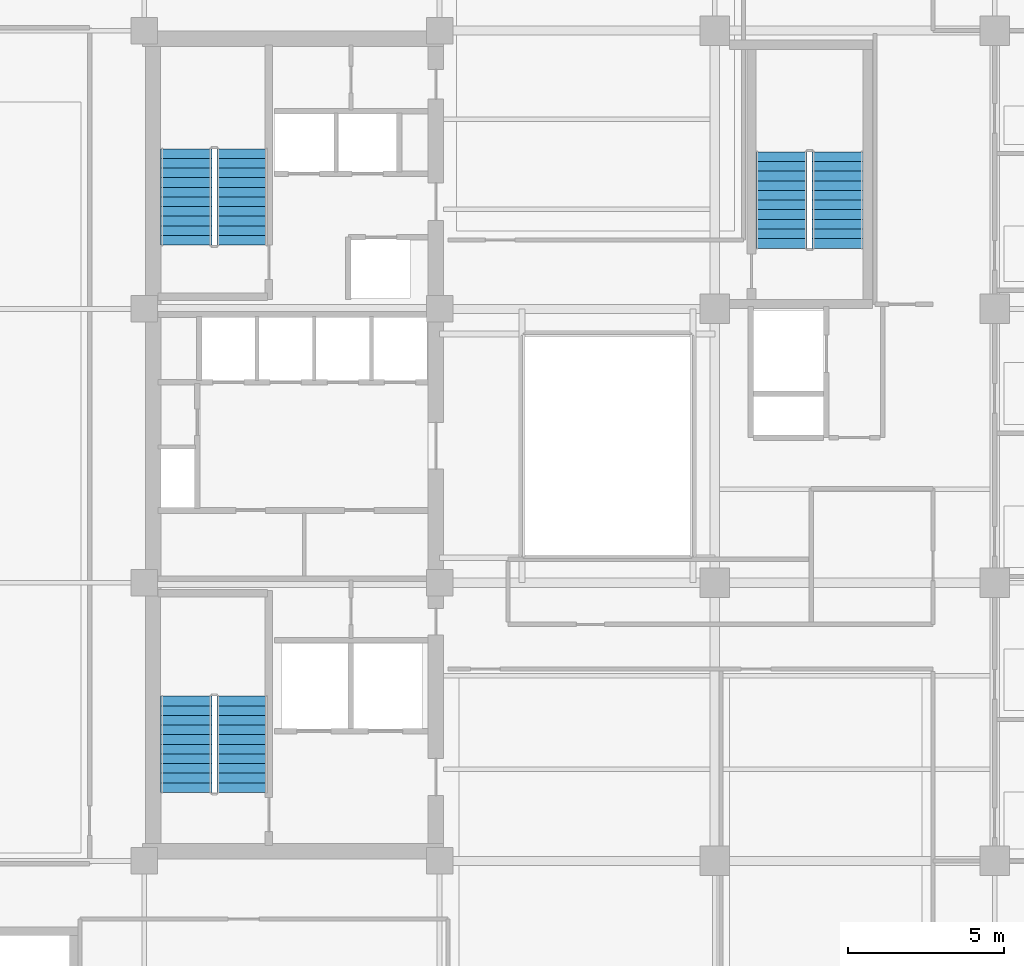
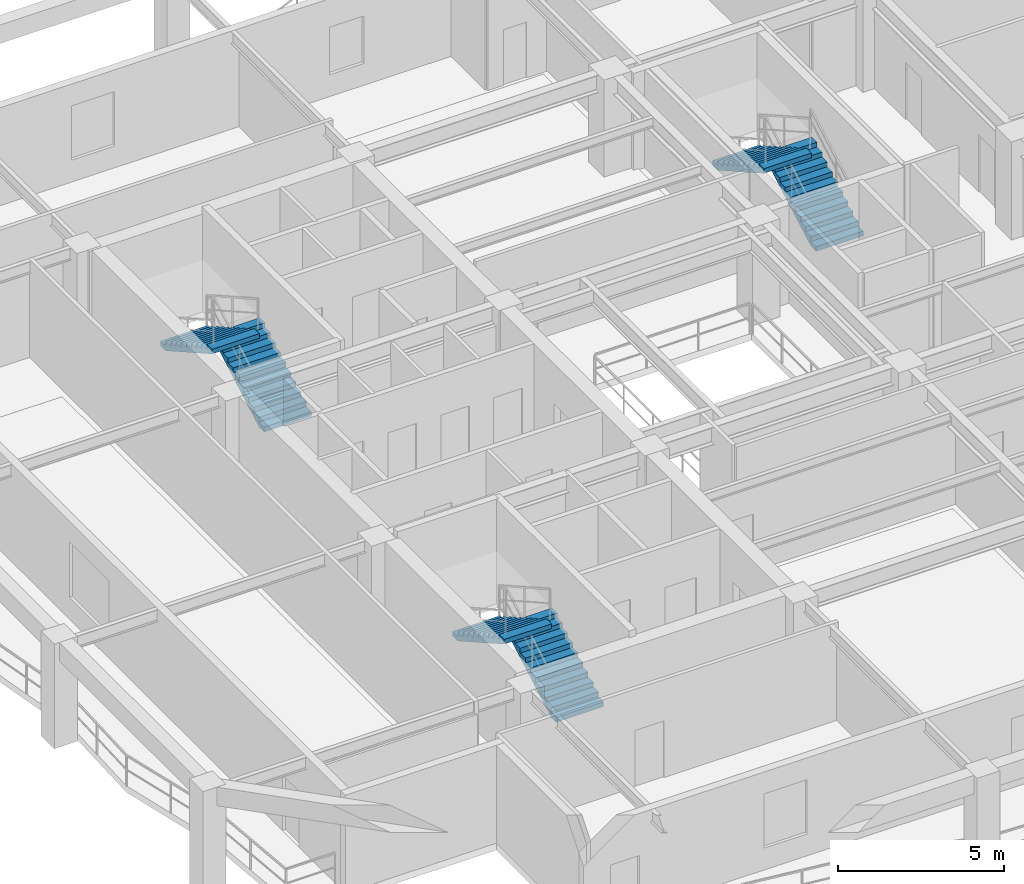
# One storey, part 7 of 13: 6 stair flights, 3 elements without a shape of their own.
"""IFC4 building model written with IfcOpenShell, lengths in metres."""

from ifc_helpers import new_model, si_unit, direction, frame, origin, place, context, subcontext, project, spatial, polyline, outline, extrude, material, type_object, element, aggregate, save


model = new_model("IFC4")

# Units and contexts
model_context = context("Model", 3, precision=1e-05, world=origin(), true_north=direction((0.0, 1.0)))
body_context = subcontext(model_context, "Body", "Model", "MODEL_VIEW")
ifc_project = project(units=[si_unit("LENGTHUNIT", "METRE"), si_unit("AREAUNIT", "SQUARE_METRE"), si_unit("VOLUMEUNIT", "CUBIC_METRE"), si_unit("PLANEANGLEUNIT", "RADIAN"), si_unit("MASSUNIT", "GRAM", prefix="KILO")], contexts=[model_context])

# Site, building, storey
site_placement = place(None, origin())
site = spatial("IfcSite", under=ifc_project, at=site_placement, CompositionType="ELEMENT")
building_placement = place(site_placement, origin())
building = spatial("IfcBuilding", under=site, at=building_placement, Name="Kundavana Baori Tower", CompositionType="ELEMENT")
storey_placement = place(building_placement, frame((0.0, 0.0, 188.699951171875)))
storey = spatial("IfcBuildingStorey", under=building, at=storey_placement, Name="L46", CompositionType="ELEMENT", Elevation=188.699951171875)

# Stair, stair flights
ifc_material_1 = material(Name="Concrete C40/50", Category="concrete")
stair_type = type_object("IfcStairType", Name="STR-DOG-1650", PredefinedType="HALF_TURN_STAIR", material=ifc_material_1)
stair_1_placement = place(storey_placement, origin())
stair_1 = element("IfcStair", 1, at=stair_1_placement, inside=storey, type_object=stair_type, Name="L46 Protected Exit Stair ST1", PredefinedType="HALF_TURN_STAIR")
ifc_material_2 = material(Name="Concrete C40/50", Category="concrete")
stair_flight_type = type_object("IfcStairFlightType", Name="SFL-RC-1650", PredefinedType="STRAIGHT", material=ifc_material_2)
stair_flight_1_placement = place(storey_placement, frame((18.614990234375, 17.449951171875, 0.0), z_axis=(0.0, 0.0, 1.0), x_axis=(0.0, 1.0, 0.0)))
stair_flight_1 = element("IfcStairFlight", 2, at=stair_flight_1_placement, type_object=stair_flight_type, Name="ST1 flight 1", NumberOfRisers=11, NumberOfTreads=10, PredefinedType="STRAIGHT", RiserHeight=0.175, TreadLength=0.31, context=body_context, shape_type="SweptSolid", body=[
    extrude(outline(polyline([(0.0, 0.0), (0.0, 0.175048828125), (0.31005859375, 0.175048828125), (0.31005859375, 0.35009765625), (0.6201171875, 0.35009765625), (0.6201171875, 0.52490234375), (0.929931640625, 0.52490234375), (0.929931640625, 0.699951171875), (1.239990234375, 0.699951171875), (1.239990234375, 0.875), (1.550048828125, 0.875), (1.550048828125, 1.050048828125), (1.860107421875, 1.050048828125), (1.860107421875, 1.22509765625), (2.169921875, 1.22509765625), (2.169921875, 1.39990234375), (2.47998046875, 1.39990234375), (2.47998046875, 1.574951171875), (2.7900390625, 1.574951171875), (2.7900390625, 1.75), (3.10009765625, 1.75), (3.10009765625, 1.925048828125), (3.10009765625, 1.577880859375), (0.304931640625, 0.0), (0.0, 0.0)])), frame((0.0, 0.824951171875, 0.0), z_axis=(0.0, -1.0, 0.0), x_axis=(1.0, 0.0, 0.0)), (0.0, 0.0, 1.0), 1.64990234375),
])
stair_flight_2_placement = place(storey_placement, frame((16.804931640625, 20.550048828125, 1.925048828125), z_axis=(0.0, 0.0, 1.0), x_axis=(0.0, -1.0, 0.0)))
stair_flight_2 = element("IfcStairFlight", 3, at=stair_flight_2_placement, type_object=stair_flight_type, Name="ST1 flight 2", NumberOfRisers=11, NumberOfTreads=10, PredefinedType="STRAIGHT", RiserHeight=0.175, TreadLength=0.31, context=body_context, shape_type="SweptSolid", body=[
    extrude(outline(polyline([(0.0, 0.0), (0.0, 0.175048828125), (0.31005859375, 0.175048828125), (0.31005859375, 0.35009765625), (0.6201171875, 0.35009765625), (0.6201171875, 0.52490234375), (0.929931640625, 0.52490234375), (0.929931640625, 0.699951171875), (1.239990234375, 0.699951171875), (1.239990234375, 0.875), (1.550048828125, 0.875), (1.550048828125, 1.050048828125), (1.860107421875, 1.050048828125), (1.860107421875, 1.22509765625), (2.169921875, 1.22509765625), (2.169921875, 1.39990234375), (2.47998046875, 1.39990234375), (2.47998046875, 1.574951171875), (2.7900390625, 1.574951171875), (2.7900390625, 1.75), (3.10009765625, 1.75), (3.10009765625, 1.925048828125), (3.10009765625, 1.577880859375), (0.304931640625, 0.0), (0.0, 0.0)])), frame((0.0, 0.824951171875, 0.0), z_axis=(0.0, -1.0, 0.0), x_axis=(1.0, 0.0, 0.0)), (0.0, 0.0, 1.0), 1.64990234375),
])
aggregate(stair_1, [stair_flight_1, stair_flight_2])

stair_2_placement = place(storey_placement, origin())
stair_2 = element("IfcStair", 4, at=stair_2_placement, inside=storey, type_object=stair_type, Name="L46 Protected Exit Stair ST2", PredefinedType="HALF_TURN_STAIR")
stair_flight_3_placement = place(storey_placement, frame((18.614990234375, 35.050048828125, 0.0), z_axis=(0.0, 0.0, 1.0), x_axis=(0.0, 1.0, 0.0)))
stair_flight_3 = element("IfcStairFlight", 5, at=stair_flight_3_placement, type_object=stair_flight_type, Name="ST2 flight 1", NumberOfRisers=11, NumberOfTreads=10, PredefinedType="STRAIGHT", RiserHeight=0.175, TreadLength=0.31, context=body_context, shape_type="SweptSolid", body=[
    extrude(outline(polyline([(0.0, 0.0), (0.0, 0.175048828125), (0.31005859375, 0.175048828125), (0.31005859375, 0.35009765625), (0.6201171875, 0.35009765625), (0.6201171875, 0.52490234375), (0.929931640625, 0.52490234375), (0.929931640625, 0.699951171875), (1.239990234375, 0.699951171875), (1.239990234375, 0.875), (1.550048828125, 0.875), (1.550048828125, 1.050048828125), (1.860107421875, 1.050048828125), (1.860107421875, 1.22509765625), (2.169921875, 1.22509765625), (2.169921875, 1.39990234375), (2.47998046875, 1.39990234375), (2.47998046875, 1.574951171875), (2.7900390625, 1.574951171875), (2.7900390625, 1.75), (3.10009765625, 1.75), (3.10009765625, 1.925048828125), (3.10009765625, 1.577880859375), (0.304931640625, 0.0), (0.0, 0.0)])), frame((0.0, 0.824951171875, 0.0), z_axis=(0.0, -1.0, 0.0), x_axis=(1.0, 0.0, 0.0)), (0.0, 0.0, 1.0), 1.64990234375),
])
stair_flight_4_placement = place(storey_placement, frame((16.804931640625, 38.14990234375, 1.925048828125), z_axis=(0.0, 0.0, 1.0), x_axis=(0.0, -1.0, 0.0)))
stair_flight_4 = element("IfcStairFlight", 6, at=stair_flight_4_placement, type_object=stair_flight_type, Name="ST2 flight 2", NumberOfRisers=11, NumberOfTreads=10, PredefinedType="STRAIGHT", RiserHeight=0.175, TreadLength=0.31, context=body_context, shape_type="SweptSolid", body=[
    extrude(outline(polyline([(0.0, 0.0), (0.0, 0.175048828125), (0.31005859375, 0.175048828125), (0.31005859375, 0.35009765625), (0.6201171875, 0.35009765625), (0.6201171875, 0.52490234375), (0.929931640625, 0.52490234375), (0.929931640625, 0.699951171875), (1.239990234375, 0.699951171875), (1.239990234375, 0.875), (1.550048828125, 0.875), (1.550048828125, 1.050048828125), (1.860107421875, 1.050048828125), (1.860107421875, 1.22509765625), (2.169921875, 1.22509765625), (2.169921875, 1.39990234375), (2.47998046875, 1.39990234375), (2.47998046875, 1.574951171875), (2.7900390625, 1.574951171875), (2.7900390625, 1.75), (3.10009765625, 1.75), (3.10009765625, 1.925048828125), (3.10009765625, 1.577880859375), (0.304931640625, 0.0), (0.0, 0.0)])), frame((0.0, 0.824951171875, 0.0), z_axis=(0.0, -1.0, 0.0), x_axis=(1.0, 0.0, 0.0)), (0.0, 0.0, 1.0), 1.64990234375),
])
aggregate(stair_2, [stair_flight_3, stair_flight_4])

stair_3_placement = place(storey_placement, origin())
stair_3 = element("IfcStair", 7, at=stair_3_placement, inside=storey, type_object=stair_type, Name="L46 Protected Exit Stair ST3", PredefinedType="HALF_TURN_STAIR")
stair_flight_5_placement = place(storey_placement, frame((37.7548828125, 34.949951171875, 0.0), z_axis=(0.0, 0.0, 1.0), x_axis=(0.0, 1.0, 0.0)))
stair_flight_5 = element("IfcStairFlight", 8, at=stair_flight_5_placement, type_object=stair_flight_type, Name="ST3 flight 1", NumberOfRisers=11, NumberOfTreads=10, PredefinedType="STRAIGHT", RiserHeight=0.175, TreadLength=0.31, context=body_context, shape_type="SweptSolid", body=[
    extrude(outline(polyline([(0.0, 0.0), (0.0, 0.175048828125), (0.31005859375, 0.175048828125), (0.31005859375, 0.35009765625), (0.6201171875, 0.35009765625), (0.6201171875, 0.52490234375), (0.929931640625, 0.52490234375), (0.929931640625, 0.699951171875), (1.239990234375, 0.699951171875), (1.239990234375, 0.875), (1.550048828125, 0.875), (1.550048828125, 1.050048828125), (1.860107421875, 1.050048828125), (1.860107421875, 1.22509765625), (2.169921875, 1.22509765625), (2.169921875, 1.39990234375), (2.47998046875, 1.39990234375), (2.47998046875, 1.574951171875), (2.7900390625, 1.574951171875), (2.7900390625, 1.75), (3.10009765625, 1.75), (3.10009765625, 1.925048828125), (3.10009765625, 1.577880859375), (0.304931640625, 0.0), (0.0, 0.0)])), frame((0.0, 0.824951171875, 0.0), z_axis=(0.0, -1.0, 0.0), x_axis=(1.0, 0.0, 0.0)), (0.0, 0.0, 1.0), 1.64990234375),
])
stair_flight_6_placement = place(storey_placement, frame((35.945068359375, 38.050048828125, 1.925048828125), z_axis=(0.0, 0.0, 1.0), x_axis=(0.0, -1.0, 0.0)))
stair_flight_6 = element("IfcStairFlight", 9, at=stair_flight_6_placement, type_object=stair_flight_type, Name="ST3 flight 2", NumberOfRisers=11, NumberOfTreads=10, PredefinedType="STRAIGHT", RiserHeight=0.175, TreadLength=0.31, context=body_context, shape_type="SweptSolid", body=[
    extrude(outline(polyline([(0.0, 0.0), (0.0, 0.175048828125), (0.31005859375, 0.175048828125), (0.31005859375, 0.35009765625), (0.6201171875, 0.35009765625), (0.6201171875, 0.52490234375), (0.929931640625, 0.52490234375), (0.929931640625, 0.699951171875), (1.239990234375, 0.699951171875), (1.239990234375, 0.875), (1.550048828125, 0.875), (1.550048828125, 1.050048828125), (1.860107421875, 1.050048828125), (1.860107421875, 1.22509765625), (2.169921875, 1.22509765625), (2.169921875, 1.39990234375), (2.47998046875, 1.39990234375), (2.47998046875, 1.574951171875), (2.7900390625, 1.574951171875), (2.7900390625, 1.75), (3.10009765625, 1.75), (3.10009765625, 1.925048828125), (3.10009765625, 1.577880859375), (0.304931640625, 0.0), (0.0, 0.0)])), frame((0.0, 0.824951171875, 0.0), z_axis=(0.0, -1.0, 0.0), x_axis=(1.0, 0.0, 0.0)), (0.0, 0.0, 1.0), 1.64990234375),
])
aggregate(stair_3, [stair_flight_5, stair_flight_6])

save(model, "model.ifc")
